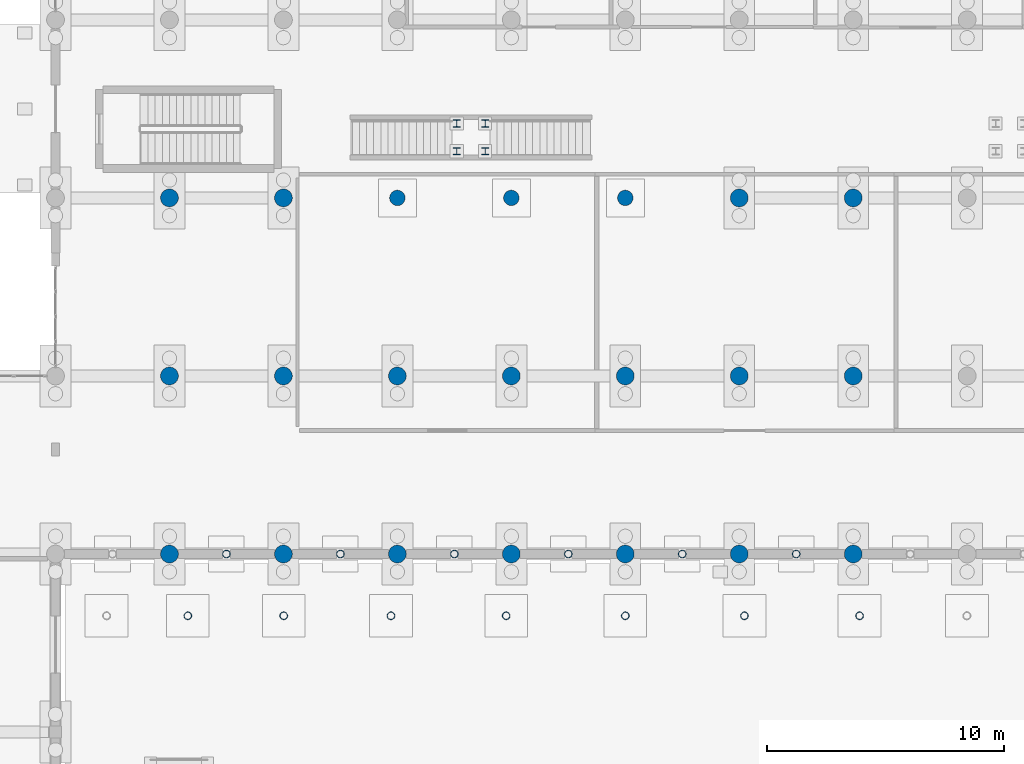
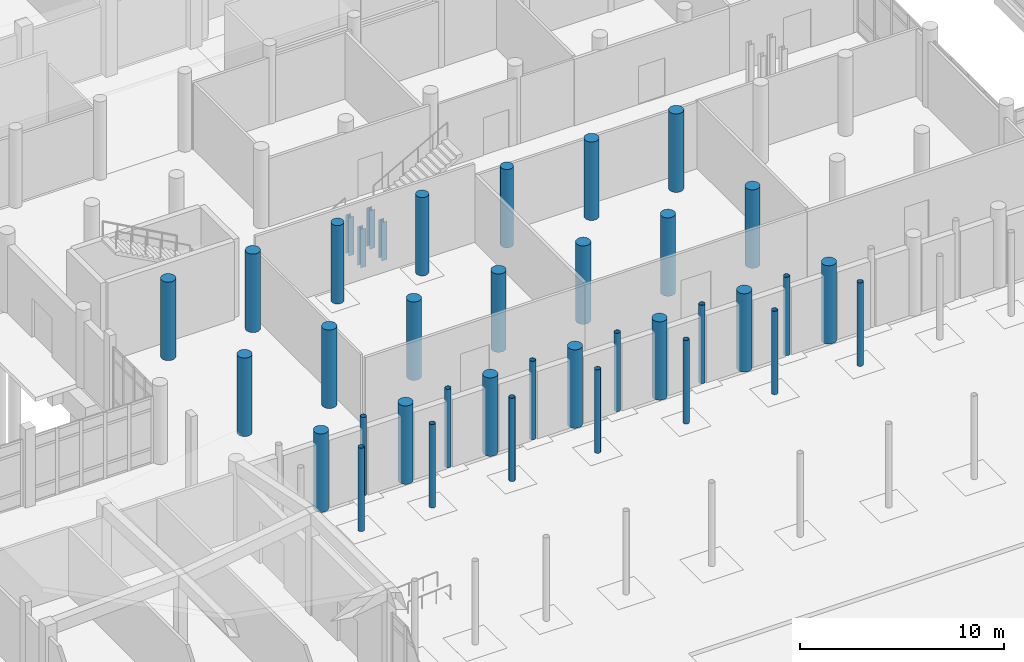
# One storey, part 15 of 173: 38 columns.
"""IFC4 building model written with IfcOpenShell, lengths in metres."""

from ifc_helpers import new_model, si_unit, direction, frame, origin, origin_2d, place, context, subcontext, project, spatial, circle, hollow_circle, i_section, extrude, material, material_profile, profile_set, type_object, element, save


model = new_model("IFC4")

# Units and contexts
model_context = context("Model", 3, precision=1e-05, world=origin(), true_north=direction((0.0, 1.0)))
body_context = subcontext(model_context, "Body", "Model", "MODEL_VIEW")
ifc_project = project(units=[si_unit("LENGTHUNIT", "METRE"), si_unit("AREAUNIT", "SQUARE_METRE"), si_unit("VOLUMEUNIT", "CUBIC_METRE"), si_unit("PLANEANGLEUNIT", "RADIAN"), si_unit("MASSUNIT", "GRAM", prefix="KILO")], contexts=[model_context])

# Site, building, storey
site_placement = place(None, origin())
site = spatial("IfcSite", under=ifc_project, at=site_placement, CompositionType="ELEMENT")
building_placement = place(site_placement, origin())
building = spatial("IfcBuilding", under=site, at=building_placement, Name="Mawjan Specialist Oncology Clinic", CompositionType="ELEMENT")
storey_placement = place(building_placement, origin())
storey = spatial("IfcBuildingStorey", under=building, at=storey_placement, Name="L00", CompositionType="ELEMENT", Elevation=0.0)

# Columns
ifc_material_1 = material(Name="Concrete C45/55", Category="concrete")
ifc_material_profile_1 = material_profile(ifc_material_1, circle(Radius=0.324951171875, at=origin_2d()), Name="RC COL D650", Category="concrete")
ifc_profile_set_1 = profile_set([ifc_material_profile_1], Name="Concrete C45/55")
column_type_1 = type_object("IfcColumnType", Name="C-D650", PredefinedType="COLUMN", material=ifc_profile_set_1)
for number, where, z_axis, x_axis, name in (
    (1, (74.39990234375, 60.800048828125, 0.0), (0.0, 0.0, 1.0), (1.0, 0.0, 0.0), "Hall Valley L00 Column 4-60"),
    (2, (79.199951171875, 60.800048828125, 0.0), (0.0, 0.0, 1.0), (1.0, 0.0, 0.0), "Hall Valley L00 Column 5-60"),
    (3, (84.0, 60.800048828125, 0.0), (0.0, 0.0, 1.0), (1.0, 0.0, 0.0), "Hall Valley L00 Column 6-60"),
):
    element("IfcColumn", number, at=place(storey_placement, frame(where, z_axis=z_axis, x_axis=x_axis)), inside=storey, type_object=column_type_1, Name=name, PredefinedType="COLUMN", context=body_context, shape_type="SweptSolid", body=[
        extrude(circle(Radius=0.324951171875, at=origin_2d()), origin(), (0.0, 0.0, 1.0), 4.699951171875),
    ])
ifc_material_2 = material(Name="Concrete C45/55", Category="concrete")
ifc_material_profile_2 = material_profile(ifc_material_2, circle(Radius=0.375, at=origin_2d()), Name="RC COL D750", Category="concrete")
ifc_profile_set_2 = profile_set([ifc_material_profile_2], Name="Concrete C45/55")
column_type_2 = type_object("IfcColumnType", Name="C-D750", PredefinedType="COLUMN", material=ifc_profile_set_2)
for number, where, z_axis, x_axis, name in (
    (4, (64.800048828125, 45.800048828125, 0.0), (0.0, 0.0, 1.0), (1.0, 0.0, 0.0), "L00 Column G-10-G"),
    (5, (64.800048828125, 53.300048828125, 0.0), (0.0, 0.0, 1.0), (1.0, 0.0, 0.0), "L00 Column G-10-H"),
    (6, (64.800048828125, 60.800048828125, 0.0), (0.0, 0.0, 1.0), (1.0, 0.0, 0.0), "L00 Column G-10-J"),
    (7, (69.60009765625, 45.800048828125, 0.0), (0.0, 0.0, 1.0), (1.0, 0.0, 0.0), "L00 Column G-11-G"),
    (8, (69.60009765625, 53.300048828125, 0.0), (0.0, 0.0, 1.0), (1.0, 0.0, 0.0), "L00 Column G-11-H"),
    (9, (69.60009765625, 60.800048828125, 0.0), (0.0, 0.0, 1.0), (1.0, 0.0, 0.0), "L00 Column G-11-J"),
    (10, (74.39990234375, 45.800048828125, 0.0), (0.0, 0.0, 1.0), (1.0, 0.0, 0.0), "L00 Column G-12-G"),
    (11, (74.39990234375, 53.300048828125, 0.0), (0.0, 0.0, 1.0), (1.0, 0.0, 0.0), "L00 Column G-12-H"),
    (12, (79.199951171875, 45.800048828125, 0.0), (0.0, 0.0, 1.0), (1.0, 0.0, 0.0), "L00 Column G-13-G"),
    (13, (79.199951171875, 53.300048828125, 0.0), (0.0, 0.0, 1.0), (1.0, 0.0, 0.0), "L00 Column G-13-H"),
    (14, (84.0, 45.800048828125, 0.0), (0.0, 0.0, 1.0), (1.0, 0.0, 0.0), "L00 Column G-14-G"),
    (15, (84.0, 53.300048828125, 0.0), (0.0, 0.0, 1.0), (1.0, 0.0, 0.0), "L00 Column G-14-H"),
    (16, (88.800048828125, 45.800048828125, 0.0), (0.0, 0.0, 1.0), (1.0, 0.0, 0.0), "L00 Column G-15-G"),
    (17, (88.800048828125, 53.300048828125, 0.0), (0.0, 0.0, 1.0), (1.0, 0.0, 0.0), "L00 Column G-15-H"),
    (18, (88.800048828125, 60.800048828125, 0.0), (0.0, 0.0, 1.0), (1.0, 0.0, 0.0), "L00 Column G-15-J"),
    (19, (93.60009765625, 45.800048828125, 0.0), (0.0, 0.0, 1.0), (1.0, 0.0, 0.0), "L00 Column G-16-G"),
    (20, (93.60009765625, 53.300048828125, 0.0), (0.0, 0.0, 1.0), (1.0, 0.0, 0.0), "L00 Column G-16-H"),
    (21, (93.60009765625, 60.800048828125, 0.0), (0.0, 0.0, 1.0), (1.0, 0.0, 0.0), "L00 Column G-16-J"),
):
    element("IfcColumn", number, at=place(storey_placement, frame(where, z_axis=z_axis, x_axis=x_axis)), inside=storey, type_object=column_type_2, Name=name, PredefinedType="COLUMN", context=body_context, shape_type="SweptSolid", body=[
        extrude(circle(Radius=0.375, at=origin_2d()), origin(), (0.0, 0.0, 1.0), 4.699951171875),
    ])
ifc_material_3 = material(Name="Structural steel S355", Category="steel")
ifc_material_profile_3 = material_profile(ifc_material_3, hollow_circle(Radius=0.161865234375, WallThickness=0.011962890625, at=origin_2d()), Name="CHS 323.9x12", Category="steel")
ifc_profile_set_3 = profile_set([ifc_material_profile_3], Name="Structural steel S355")
column_type_3 = type_object("IfcColumnType", Name="SC-CHS324", PredefinedType="COLUMN", material=ifc_profile_set_3)
for number, where, z_axis, x_axis, name in (
    (22, (67.199951171875, 45.800048828125, 0.0), (0.0, 0.0, 1.0), (1.0, 0.0, 0.0), "Hall South Ridge L00 Column 02"),
    (23, (72.0, 45.800048828125, 0.0), (0.0, 0.0, 1.0), (1.0, 0.0, 0.0), "Hall South Ridge L00 Column 03"),
    (24, (76.800048828125, 45.800048828125, 0.0), (0.0, 0.0, 1.0), (1.0, 0.0, 0.0), "Hall South Ridge L00 Column 04"),
    (25, (81.60009765625, 45.800048828125, 0.0), (0.0, 0.0, 1.0), (1.0, 0.0, 0.0), "Hall South Ridge L00 Column 05"),
    (26, (86.39990234375, 45.800048828125, 0.0), (0.0, 0.0, 1.0), (1.0, 0.0, 0.0), "Hall South Ridge L00 Column 06"),
    (27, (91.199951171875, 45.800048828125, 0.0), (0.0, 0.0, 1.0), (1.0, 0.0, 0.0), "Hall South Ridge L00 Column 07"),
):
    element("IfcColumn", number, at=place(storey_placement, frame(where, z_axis=z_axis, x_axis=x_axis)), inside=storey, type_object=column_type_3, Name=name, PredefinedType="COLUMN", context=body_context, shape_type="SweptSolid", body=[
        extrude(hollow_circle(Radius=0.161865234375, WallThickness=0.011962890625, at=origin_2d()), origin(), (0.0, 0.0, 1.0), 4.699951171875),
    ])
for number, where, z_axis, x_axis, name in (
    (28, (65.573486328125, 43.199951171875, 0.0), (0.0, 0.0, 1.0), (1.0, 0.0, 0.0), "Courtyard North Colonnade Column 02 L00"),
    (29, (69.611328125, 43.199951171875, 0.0), (0.0, 0.0, 1.0), (1.0, 0.0, 0.0), "Courtyard North Colonnade Column 03 L00"),
    (30, (74.131103515625, 43.199951171875, 0.0), (0.0, 0.0, 1.0), (1.0, 0.0, 0.0), "Courtyard North Colonnade Column 04 L00"),
    (31, (78.981689453125, 43.199951171875, 0.0), (0.0, 0.0, 1.0), (1.0, 0.0, 0.0), "Courtyard North Colonnade Column 05 L00"),
    (32, (84.0, 43.199951171875, 0.0), (0.0, 0.0, 1.0), (1.0, 0.0, 0.0), "Courtyard North Colonnade Column 06 L00"),
    (33, (89.018310546875, 43.199951171875, 0.0), (0.0, 0.0, 1.0), (1.0, 0.0, 0.0), "Courtyard North Colonnade Column 07 L00"),
    (34, (93.868896484375, 43.199951171875, 0.0), (0.0, 0.0, 1.0), (1.0, 0.0, 0.0), "Courtyard North Colonnade Column 08 L00"),
):
    element("IfcColumn", number, at=place(storey_placement, frame(where, z_axis=z_axis, x_axis=x_axis)), inside=storey, type_object=column_type_3, Name=name, PredefinedType="COLUMN", context=body_context, shape_type="SweptSolid", body=[
        extrude(hollow_circle(Radius=0.161865234375, WallThickness=0.011962890625, at=origin_2d()), origin(), (0.0, 0.0, 1.0), 5.0),
    ])
ifc_material_4 = material(Name="Structural steel S355", Category="steel")
ifc_material_profile_4 = material_profile(ifc_material_4, i_section(OverallWidth=0.300048828125, OverallDepth=0.300048828125, WebThickness=0.010986328125, FlangeThickness=0.01904296875, FilletRadius=0.027099609375, at=origin_2d()), Name="HEB 300", Category="steel")
ifc_profile_set_4 = profile_set([ifc_material_profile_4], Name="Structural steel S355")
column_type_4 = type_object("IfcColumnType", Name="SC-HEB300", PredefinedType="COLUMN", material=ifc_profile_set_4)
for number, where, z_axis, x_axis, name in (
    (35, (76.89990234375, 62.764892578125, 0.0), (0.0, 0.0, 1.0), (1.0, 0.0, 0.0), "ST-09 Landing Support Post 1"),
    (36, (78.10009765625, 62.764892578125, 0.0), (0.0, 0.0, 1.0), (1.0, 0.0, 0.0), "ST-09 Landing Support Post 2"),
    (37, (78.10009765625, 63.93505859375, 0.0), (0.0, 0.0, 1.0), (1.0, 0.0, 0.0), "ST-09 Landing Support Post 3"),
    (38, (76.89990234375, 63.93505859375, 0.0), (0.0, 0.0, 1.0), (1.0, 0.0, 0.0), "ST-09 Landing Support Post 4"),
):
    element("IfcColumn", number, at=place(storey_placement, frame(where, z_axis=z_axis, x_axis=x_axis)), inside=storey, type_object=column_type_4, Name=name, PredefinedType="COLUMN", context=body_context, shape_type="SweptSolid", body=[
        extrude(i_section(OverallWidth=0.300048828125, OverallDepth=0.300048828125, WebThickness=0.010986328125, FlangeThickness=0.01904296875, FilletRadius=0.027099609375, at=origin_2d()), origin(), (0.0, 0.0, 1.0), 2.300048828125),
    ])

save(model, "model.ifc")
